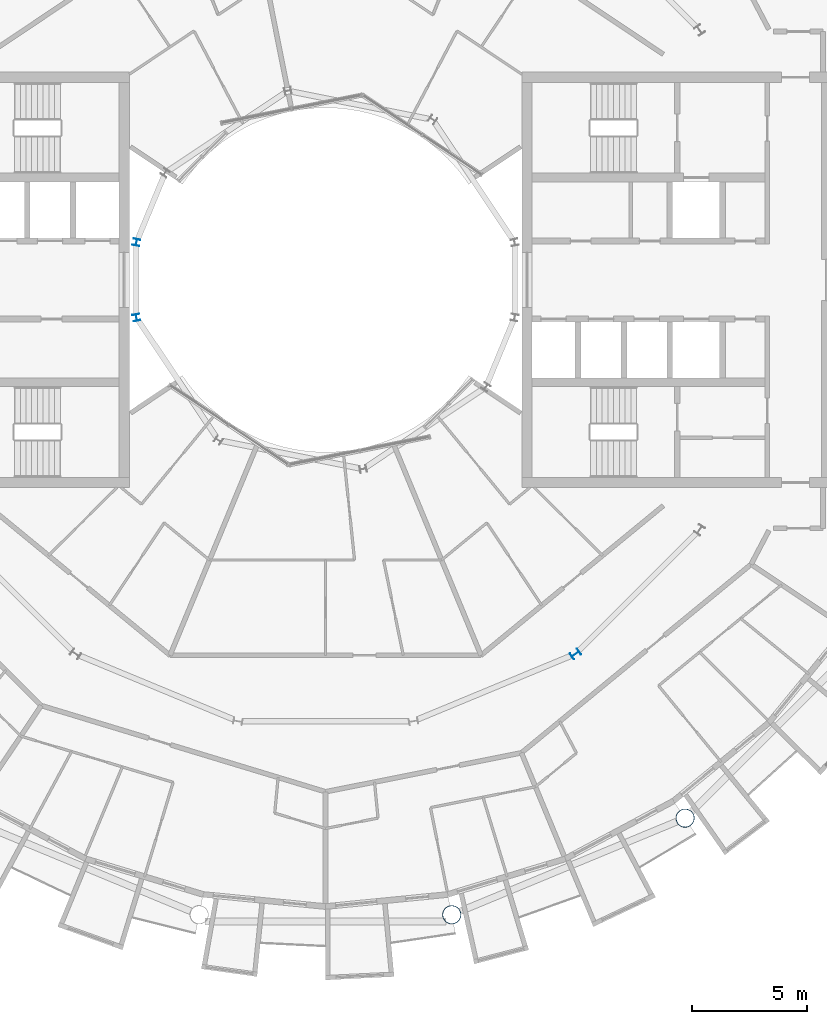
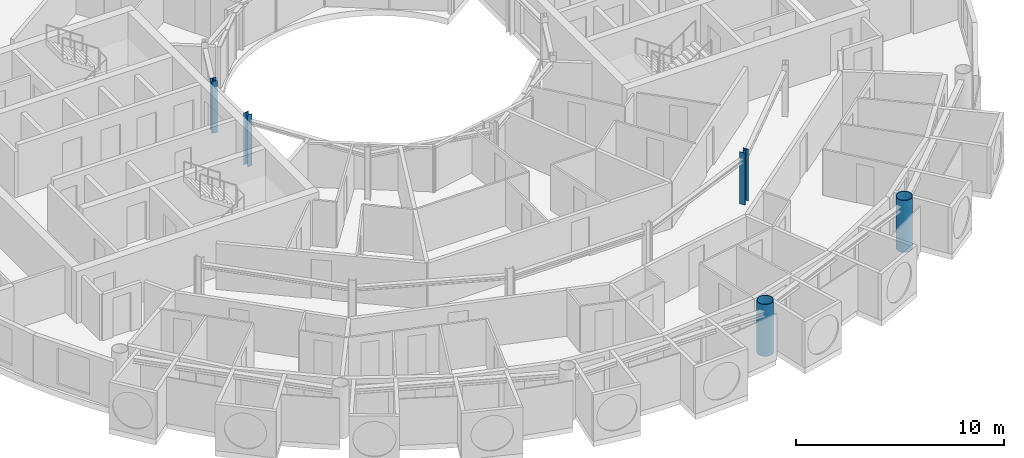
# One storey, part 2 of 27: 5 columns.
"""IFC4 building model written with IfcOpenShell, lengths in metres."""

from ifc_helpers import new_model, si_unit, direction, frame, origin, origin_2d, place, context, subcontext, project, spatial, hollow_circle, i_section, extrude, material, material_profile, profile_set, type_object, element, save


model = new_model("IFC4")

# Units and contexts
model_context = context("Model", 3, precision=1e-05, world=origin(), true_north=direction((0.0, 1.0)))
body_context = subcontext(model_context, "Body", "Model", "MODEL_VIEW")
ifc_project = project(units=[si_unit("LENGTHUNIT", "METRE"), si_unit("AREAUNIT", "SQUARE_METRE"), si_unit("VOLUMEUNIT", "CUBIC_METRE"), si_unit("PLANEANGLEUNIT", "RADIAN"), si_unit("MASSUNIT", "GRAM", prefix="KILO")], contexts=[model_context])

# Site, building, storey
site_placement = place(None, origin())
site = spatial("IfcSite", under=ifc_project, at=site_placement, CompositionType="ELEMENT")
building_placement = place(site_placement, origin())
building = spatial("IfcBuilding", under=site, at=building_placement, Name="Maasbend Ring Residences", CompositionType="ELEMENT")
storey_placement = place(building_placement, frame((0.0, 0.0, 199.35009765625)))
storey = spatial("IfcBuildingStorey", under=building, at=storey_placement, Name="L57", CompositionType="ELEMENT", Elevation=199.35009765625)

# Columns
ifc_material_1 = material(Name="Composite concrete-filled steel tube S460NH / C80/95", Category="concrete")
ifc_material_profile_1 = material_profile(ifc_material_1, hollow_circle(Radius=0.406494140625, WallThickness=0.030029296875, at=origin_2d()), Name="Composite tube column CHS 813x30")
ifc_profile_set_1 = profile_set([ifc_material_profile_1], Name="Composite concrete-filled steel tube S460NH / C80/95")
column_type_1 = type_object("IfcColumnType", Name="Composite tube column CHS 813x30", PredefinedType="COLUMN", material=ifc_profile_set_1)
for number, where, z_axis, x_axis, name in (
    (1, (5.50146484375, -27.658203125, 0.0), (0.0, 0.0, 1.0), (1.0, 0.0, 0.0), "Outer column R13"),
    (2, (15.6669921875, -23.447509765625, 0.0), (0.0, 0.0, 1.0), (1.0, 0.0, 0.0), "Outer column R14"),
):
    element("IfcColumn", number, at=place(storey_placement, frame(where, z_axis=z_axis, x_axis=x_axis)), inside=storey, type_object=column_type_1, Name=name, PredefinedType="COLUMN", context=body_context, shape_type="SweptSolid", body=[
        extrude(hollow_circle(Radius=0.406494140625, WallThickness=0.030029296875, at=origin_2d()), origin(), (0.0, 0.0, 1.0), 3.0498046875),
    ])
ifc_material_2 = material(Name="Steel S355J2", Category="steel")
ifc_material_profile_2 = material_profile(ifc_material_2, i_section(OverallWidth=0.300048828125, OverallDepth=0.2900390625, WebThickness=0.008544921875, FlangeThickness=0.013916015625, FilletRadius=0.027099609375, at=origin_2d()), Name="HEA 300")
ifc_profile_set_2 = profile_set([ifc_material_profile_2], Name="Steel S355J2")
column_type_2 = type_object("IfcColumnType", Name="Steel column HEA 300", PredefinedType="COLUMN", material=ifc_profile_set_2)
for number, where, z_axis, x_axis, name in (
    (3, (-8.238525390625, 1.638916015625, 0.0), (0.0, 0.0, 1.0), (-0.980785280403, 0.195090322016, 0.0), "Well ring column R8"),
    (4, (-8.238525390625, -1.638916015625, 0.0), (0.0, 0.0, 1.0), (-0.980785280403, -0.195090322016, 0.0), "Well ring column R9"),
):
    element("IfcColumn", number, at=place(storey_placement, frame(where, z_axis=z_axis, x_axis=x_axis)), inside=storey, type_object=column_type_2, Name=name, PredefinedType="COLUMN", context=body_context, shape_type="SweptSolid", body=[
        extrude(i_section(OverallWidth=0.300048828125, OverallDepth=0.2900390625, WebThickness=0.008544921875, FlangeThickness=0.013916015625, FilletRadius=0.027099609375, at=origin_2d()), origin(), (0.0, 0.0, 1.0), 3.0498046875),
    ])
ifc_material_3 = material(Name="Steel S355J2", Category="steel")
ifc_material_profile_3 = material_profile(ifc_material_3, i_section(OverallWidth=0.300048828125, OverallDepth=0.39990234375, WebThickness=0.013427734375, FlangeThickness=0.02392578125, FilletRadius=0.027099609375, at=origin_2d()), Name="HEB 400")
ifc_profile_set_3 = profile_set([ifc_material_profile_3], Name="Steel S355J2")
column_type_3 = type_object("IfcColumnType", Name="Steel column HEB 400", PredefinedType="COLUMN", material=ifc_profile_set_3)
column_placement = place(storey_placement, frame((10.88916015625, -16.296875, 0.0), z_axis=(0.0, 0.0, 1.0), x_axis=(0.55557023302, -0.831469612303, 0.0)))
element("IfcColumn", 5, at=column_placement, inside=storey, type_object=column_type_3, Name="Corridor ring column R14", PredefinedType="COLUMN", context=body_context, shape_type="SweptSolid", body=[
    extrude(i_section(OverallWidth=0.300048828125, OverallDepth=0.39990234375, WebThickness=0.013427734375, FlangeThickness=0.02392578125, FilletRadius=0.027099609375, at=origin_2d()), origin(), (0.0, 0.0, 1.0), 3.0498046875),
])

save(model, "model.ifc")
